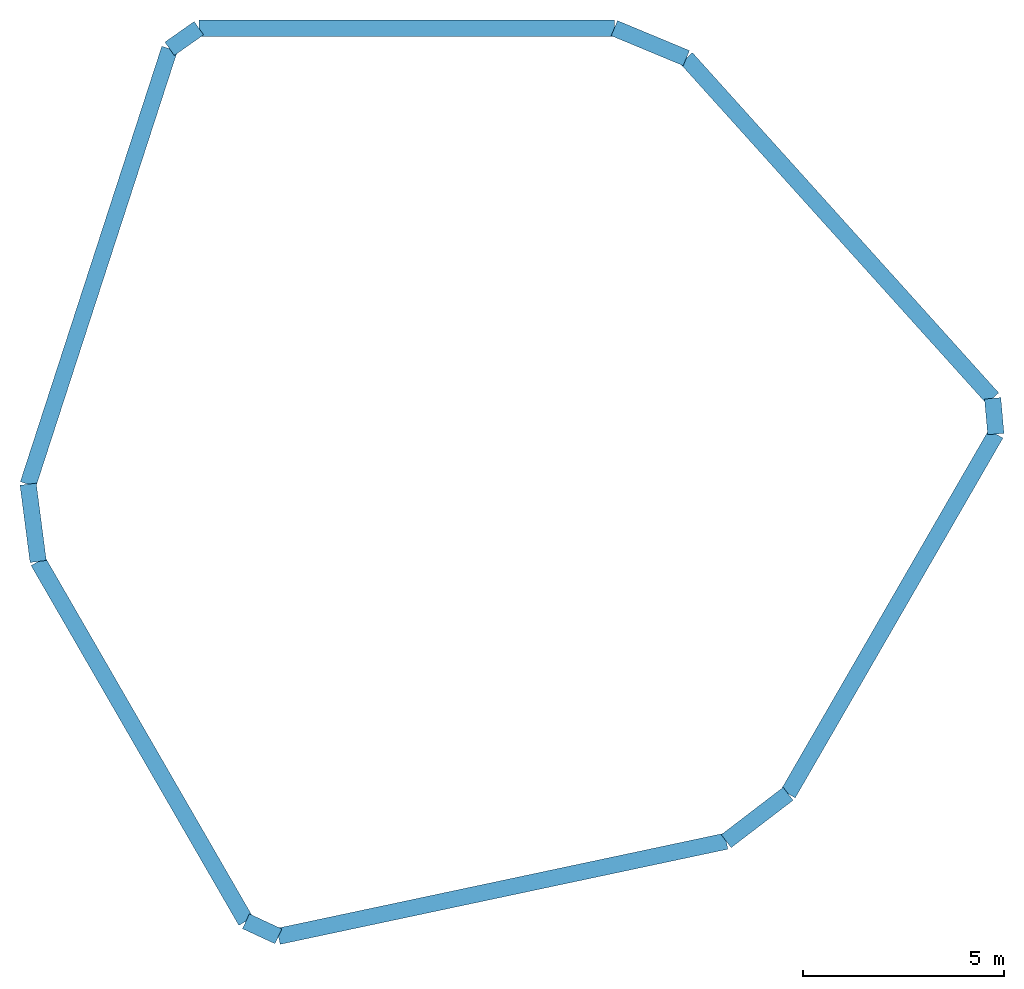
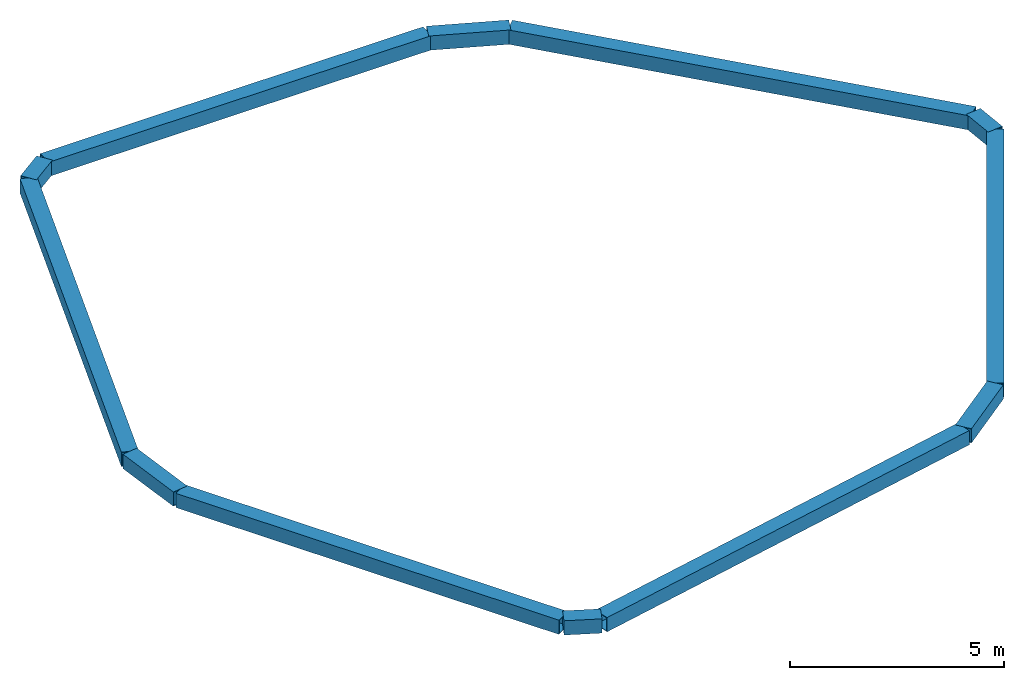
# One storey: 12 beams.
"""IFC4 building model written with IfcOpenShell, lengths in metres."""

from ifc_helpers import new_model, si_unit, direction, frame, origin, origin_2d, place, context, subcontext, project, spatial, hollow_rectangle, extrude, material, material_profile, profile_set, type_object, element, save


model = new_model("IFC4")

# Units and contexts
model_context = context("Model", 3, precision=1e-05, world=origin(), true_north=direction((0.0, 1.0)))
body_context = subcontext(model_context, "Body", "Model", "MODEL_VIEW")
ifc_project = project(units=[si_unit("LENGTHUNIT", "METRE"), si_unit("AREAUNIT", "SQUARE_METRE"), si_unit("VOLUMEUNIT", "CUBIC_METRE"), si_unit("PLANEANGLEUNIT", "RADIAN"), si_unit("MASSUNIT", "GRAM", prefix="KILO")], contexts=[model_context])

# Site, building, storey
site_placement = place(None, origin())
site = spatial("IfcSite", under=ifc_project, at=site_placement, CompositionType="ELEMENT")
building_placement = place(site_placement, origin())
building = spatial("IfcBuilding", under=site, at=building_placement, Name="Isthmus Gate Tower", CompositionType="ELEMENT")
storey_placement = place(building_placement, frame((0.0, 0.0, 324.60009765625)))
storey = spatial("IfcBuildingStorey", under=building, at=storey_placement, Name="C6", CompositionType="ELEMENT", Elevation=324.60009765625)

# Beams
ifc_material = material(Name="Structural steel ASTM A500 Gr C", Category="steel")
ifc_material_profile = material_profile(ifc_material, hollow_rectangle(XDim=0.406494140625, YDim=0.406494140625, WallThickness=0.017578125, at=origin_2d()), Name="HSS16X16X3/4")
ifc_profile_set = profile_set([ifc_material_profile], Name="Structural steel ASTM A500 Gr C")
beam_type = type_object("IfcBeamType", Name="PYRAMID RING BEAM HSS16X16X3/4", PredefinedType="BEAM", material=ifc_profile_set)
beam_1_placement = place(storey_placement, frame((3.330078125, 10.75, 0.0), z_axis=(-1.0, 0.0, 0.0), x_axis=(0.0, -1.0, 0.0)))
element("IfcBeam", 1, at=beam_1_placement, inside=storey, type_object=beam_type, Name="str-crownring-C6-00", PredefinedType="BEAM", context=body_context, shape_type="SweptSolid", body=[
    extrude(hollow_rectangle(XDim=0.406494140625, YDim=0.406494140625, WallThickness=0.017578125, at=origin_2d()), origin(), (0.0, 0.0, 1.0), 10.314697265625),
])
beam_2_placement = place(storey_placement, frame((-6.984619140625, 10.75, 0.0), z_axis=(-0.817902060526, -0.575357470957, 0.0), x_axis=(0.575357470957, -0.817902060526, 0.0)))
element("IfcBeam", 2, at=beam_2_placement, inside=storey, type_object=beam_type, Name="str-crownring-C6-01", PredefinedType="BEAM", context=body_context, shape_type="SweptSolid", body=[
    extrude(hollow_rectangle(XDim=0.406494140625, YDim=0.406494140625, WallThickness=0.017578125, at=origin_2d()), origin(), (0.0, 0.0, 1.0), 0.889892578125),
])
beam_3_placement = place(storey_placement, frame((-7.71240234375, 10.238037109375, 0.0), z_axis=(-0.309027303311, -0.951053166657, 0.0), x_axis=(0.951053166657, -0.309027303311, 0.0)))
element("IfcBeam", 3, at=beam_3_placement, inside=storey, type_object=beam_type, Name="str-crownring-C6-02", PredefinedType="BEAM", context=body_context, shape_type="SweptSolid", body=[
    extrude(hollow_rectangle(XDim=0.406494140625, YDim=0.406494140625, WallThickness=0.017578125, at=origin_2d()), origin(), (0.0, 0.0, 1.0), 11.3662109375),
])
beam_4_placement = place(storey_placement, frame((-11.224853515625, -0.57177734375, 0.0), z_axis=(0.12915584972, -0.991624307126, 0.0), x_axis=(0.991624307126, 0.12915584972, 0.0)))
element("IfcBeam", 4, at=beam_4_placement, inside=storey, type_object=beam_type, Name="str-crownring-C6-03", PredefinedType="BEAM", context=body_context, shape_type="SweptSolid", body=[
    extrude(hollow_rectangle(XDim=0.406494140625, YDim=0.406494140625, WallThickness=0.017578125, at=origin_2d()), origin(), (0.0, 0.0, 1.0), 1.935546875),
])
beam_5_placement = place(storey_placement, frame((-10.974853515625, -2.4912109375, 0.0), z_axis=(0.500016125005, -0.866016093808, 0.0), x_axis=(0.866016093808, 0.500016125005, 0.0)))
element("IfcBeam", 5, at=beam_5_placement, inside=storey, type_object=beam_type, Name="str-crownring-C6-04", PredefinedType="BEAM", context=body_context, shape_type="SweptSolid", body=[
    extrude(hollow_rectangle(XDim=0.406494140625, YDim=0.406494140625, WallThickness=0.017578125, at=origin_2d()), origin(), (0.0, 0.0, 1.0), 10.314697265625),
])
beam_6_placement = place(storey_placement, frame((-5.8173828125, -11.423828125, 0.0), z_axis=(0.907259546382, -0.420571177685, 0.0), x_axis=(0.420571177685, 0.907259546382, 0.0)))
element("IfcBeam", 6, at=beam_6_placement, inside=storey, type_object=beam_type, Name="str-crownring-C6-05", PredefinedType="BEAM", context=body_context, shape_type="SweptSolid", body=[
    extrude(hollow_rectangle(XDim=0.406494140625, YDim=0.406494140625, WallThickness=0.017578125, at=origin_2d()), origin(), (0.0, 0.0, 1.0), 0.889892578125),
])
beam_7_placement = place(storey_placement, frame((-5.010009765625, -11.798095703125, 0.0), z_axis=(0.978149351109, 0.207903455782, 0.0), x_axis=(-0.207903455782, 0.978149351109, 0.0)))
element("IfcBeam", 7, at=beam_7_placement, inside=storey, type_object=beam_type, Name="str-crownring-C6-06", PredefinedType="BEAM", context=body_context, shape_type="SweptSolid", body=[
    extrude(hollow_rectangle(XDim=0.406494140625, YDim=0.406494140625, WallThickness=0.017578125, at=origin_2d()), origin(), (0.0, 0.0, 1.0), 11.365966796875),
])
beam_8_placement = place(storey_placement, frame((6.107666015625, -9.43505859375, 0.0), z_axis=(0.794150130909, 0.607721621779, 0.0), x_axis=(-0.607721621779, 0.794150130909, 0.0)))
element("IfcBeam", 8, at=beam_8_placement, inside=storey, type_object=beam_type, Name="str-crownring-C6-07", PredefinedType="BEAM", context=body_context, shape_type="SweptSolid", body=[
    extrude(hollow_rectangle(XDim=0.406494140625, YDim=0.406494140625, WallThickness=0.017578125, at=origin_2d()), origin(), (0.0, 0.0, 1.0), 1.935546875),
])
beam_9_placement = place(storey_placement, frame((7.644775390625, -8.2587890625, 0.0), z_axis=(0.49999837302, 0.86602634312, 0.0), x_axis=(-0.86602634312, 0.49999837302, 0.0)))
element("IfcBeam", 9, at=beam_9_placement, inside=storey, type_object=beam_type, Name="str-crownring-C6-08", PredefinedType="BEAM", context=body_context, shape_type="SweptSolid", body=[
    extrude(hollow_rectangle(XDim=0.406494140625, YDim=0.406494140625, WallThickness=0.017578125, at=origin_2d()), origin(), (0.0, 0.0, 1.0), 10.314453125),
])
beam_10_placement = place(storey_placement, frame((12.802001953125, 0.673828125, 0.0), z_axis=(-0.089150619852, 0.996018155949, 0.0), x_axis=(-0.996018155949, -0.089150619852, 0.0)))
element("IfcBeam", 10, at=beam_10_placement, inside=storey, type_object=beam_type, Name="str-crownring-C6-09", PredefinedType="BEAM", context=body_context, shape_type="SweptSolid", body=[
    extrude(hollow_rectangle(XDim=0.406494140625, YDim=0.406494140625, WallThickness=0.017578125, at=origin_2d()), origin(), (0.0, 0.0, 1.0), 0.89013671875),
])
beam_11_placement = place(storey_placement, frame((12.72265625, 1.560302734375, 0.0), z_axis=(-0.669139162515, 0.74313712139, 0.0), x_axis=(-0.74313712139, -0.669139162515, 0.0)))
element("IfcBeam", 11, at=beam_11_placement, inside=storey, type_object=beam_type, Name="str-crownring-C6-10", PredefinedType="BEAM", context=body_context, shape_type="SweptSolid", body=[
    extrude(hollow_rectangle(XDim=0.406494140625, YDim=0.406494140625, WallThickness=0.017578125, at=origin_2d()), origin(), (0.0, 0.0, 1.0), 11.365966796875),
])
beam_12_placement = place(storey_placement, frame((5.1171875, 10.0068359375, 0.0), z_axis=(-0.923345398578, 0.383970408917, 0.0), x_axis=(-0.383970408917, -0.923345398578, 0.0)))
element("IfcBeam", 12, at=beam_12_placement, inside=storey, type_object=beam_type, Name="str-crownring-C6-11", PredefinedType="BEAM", context=body_context, shape_type="SweptSolid", body=[
    extrude(hollow_rectangle(XDim=0.406494140625, YDim=0.406494140625, WallThickness=0.017578125, at=origin_2d()), origin(), (0.0, 0.0, 1.0), 1.935546875),
])

save(model, "model.ifc")
